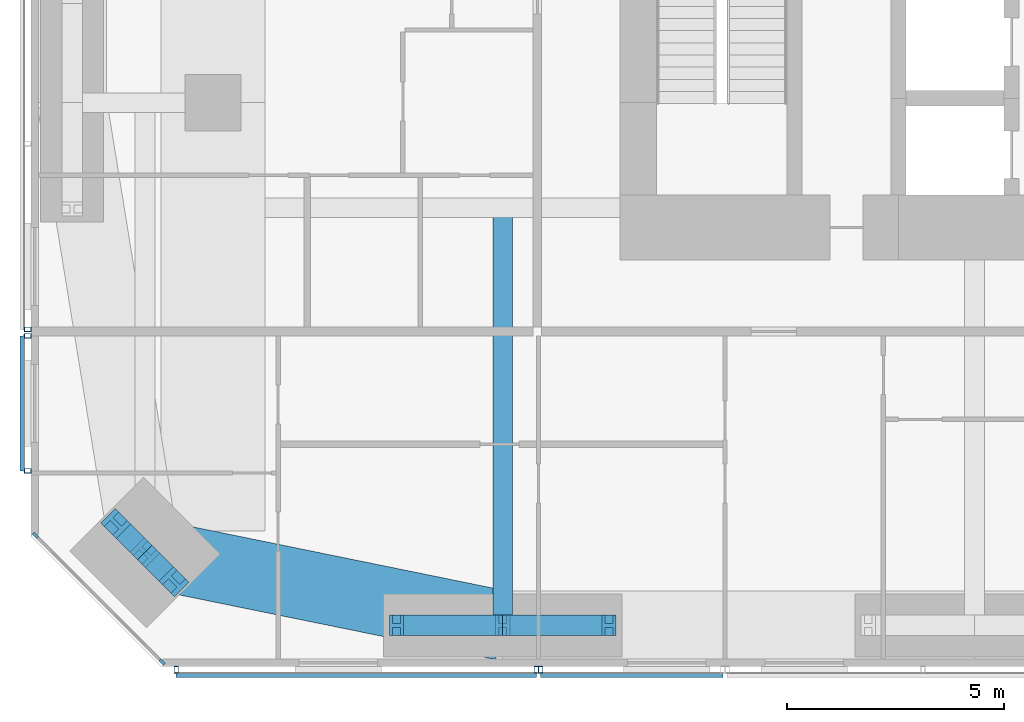
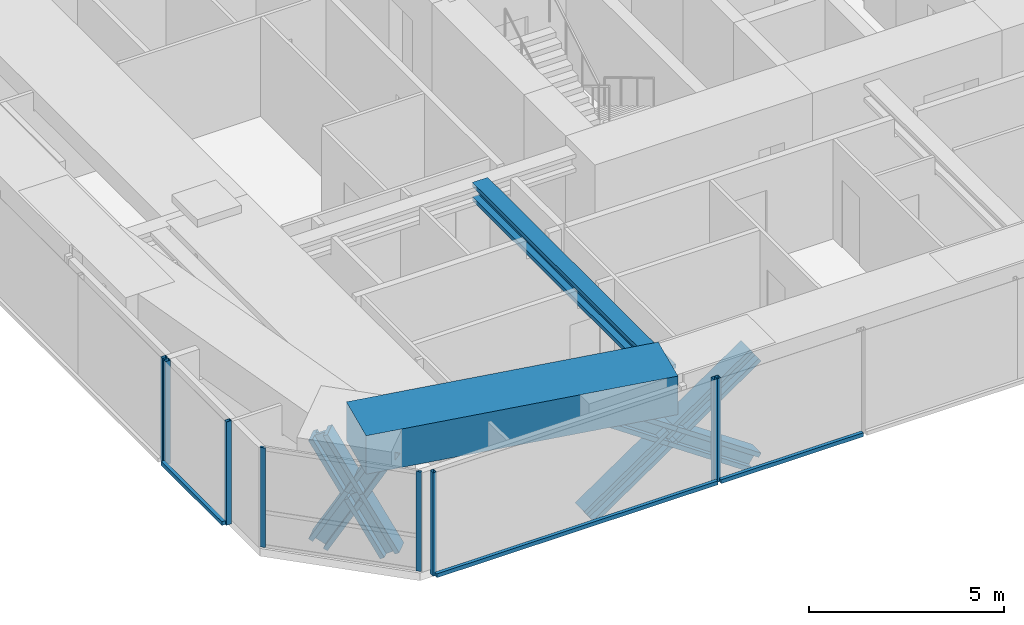
# One storey, part 2 of 24: 19 members, 2 beams, 5 elements without a shape of their own.
"""IFC4 building model written with IfcOpenShell, lengths in metres."""

from ifc_helpers import new_model, si_unit, direction, frame, origin, origin_2d, place, context, subcontext, project, spatial, rectangle, hollow_rectangle, i_section, extrude, material, material_profile, profile_set, type_object, element, aggregate, save


model = new_model("IFC4")

# Units and contexts
model_context = context("Model", 3, precision=1e-05, world=origin(), true_north=direction((0.0, 1.0)))
body_context = subcontext(model_context, "Body", "Model", "MODEL_VIEW")
ifc_project = project(units=[si_unit("LENGTHUNIT", "METRE"), si_unit("AREAUNIT", "SQUARE_METRE"), si_unit("VOLUMEUNIT", "CUBIC_METRE"), si_unit("PLANEANGLEUNIT", "RADIAN"), si_unit("MASSUNIT", "GRAM", prefix="KILO")], contexts=[model_context])

# Site, building, storey
site_placement = place(None, origin())
site = spatial("IfcSite", under=ifc_project, at=site_placement, CompositionType="ELEMENT")
building_placement = place(site_placement, origin())
building = spatial("IfcBuilding", under=site, at=building_placement, Name="Jalousie Tower", CompositionType="ELEMENT")
storey_placement = place(building_placement, frame((0.0, 0.0, 135.0)))
storey = spatial("IfcBuildingStorey", under=building, at=storey_placement, Name="L37", CompositionType="ELEMENT", Elevation=135.0)

# Curtain wall, members
ifc_material_1 = material(Name="Aluminium curtain wall", Category="aluminium")
curtain_wall_type_1 = type_object("IfcCurtainWallType", Name="CORNER WINDOW WALL", PredefinedType="USERDEFINED", material=ifc_material_1)
curtain_wall_1_placement = place(storey_placement, origin())
curtain_wall_1 = element("IfcCurtainWall", 1, at=curtain_wall_1_placement, inside=storey, type_object=curtain_wall_type_1, Name="Corner Window Wall L37 8", ObjectType="CORNER WINDOW WALL", PredefinedType="USERDEFINED")
ifc_material_2 = material(Name="Aluminium mullion", Category="aluminium")
ifc_material_profile_1 = material_profile(ifc_material_2, rectangle(XDim=0.06005859375, YDim=0.14990234375, at=origin_2d()), Name="MULLION 60x150")
ifc_profile_set_1 = profile_set([ifc_material_profile_1], Name="Aluminium mullion")
member_type_1 = type_object("IfcMemberType", Name="CORNER WINDOW WALL MULLION", PredefinedType="MULLION", material=ifc_profile_set_1)
member_1_placement = place(storey_placement, frame((6.108642578125, 3.030029296875, 0.0), z_axis=(0.0, 0.0, 1.0), x_axis=(0.707106781187, 0.707106781187, 0.0)))
member_1 = element("IfcMember", 2, at=member_1_placement, type_object=member_type_1, Name="CW-C mullion 1", PredefinedType="MULLION", context=body_context, shape_type="SweptSolid", body=[
    extrude(rectangle(XDim=0.06005859375, YDim=0.14990234375, at=origin_2d()), origin(), (0.0, 0.0, 1.0), 3.110107421875),
])
member_2_placement = place(storey_placement, frame((9.030029296875, 0.108642578125, 0.0), z_axis=(0.0, 0.0, 1.0), x_axis=(0.707106781187, 0.707106781187, 0.0)))
member_2 = element("IfcMember", 3, at=member_2_placement, type_object=member_type_1, Name="CW-C mullion 2", PredefinedType="MULLION", context=body_context, shape_type="SweptSolid", body=[
    extrude(rectangle(XDim=0.06005859375, YDim=0.14990234375, at=origin_2d()), origin(), (0.0, 0.0, 1.0), 3.110107421875),
])
aggregate(curtain_wall_1, [member_1, member_2])

# Beam
ifc_material_3 = material(Name="Steel ASTM A992 Grade 50", Category="steel")
ifc_material_profile_2 = material_profile(ifc_material_3, i_section(OverallWidth=0.45458984375, OverallDepth=0.569091796875, WebThickness=0.077880859375, FlangeThickness=0.124755859375, at=origin_2d()), Name="W14X730")
ifc_profile_set_2 = profile_set([ifc_material_profile_2], Name="Steel ASTM A992 Grade 50")
beam_type_1 = type_object("IfcBeamType", Name="LEAN COLLECTOR W14X730", PredefinedType="BEAM", material=ifc_profile_set_2)
beam_1_placement = place(storey_placement, frame((16.875, 0.949951171875, 2.825439453125), z_axis=(0.0, 1.0, 0.0), x_axis=(-1.0, 0.0, 0.0)))
element("IfcBeam", 4, at=beam_1_placement, inside=storey, type_object=beam_type_1, Name="Lean collector under L38", PredefinedType="BEAM", context=body_context, shape_type="SweptSolid", body=[
    extrude(i_section(OverallWidth=0.45458984375, OverallDepth=0.569091796875, WebThickness=0.077880859375, FlangeThickness=0.124755859375, at=origin_2d()), origin(), (0.0, 0.0, 1.0), 9.625),
])

# Members
ifc_material_4 = material(Name="Steel ASTM A992 Grade 50", Category="steel")
ifc_material_profile_3 = material_profile(ifc_material_4, i_section(OverallWidth=0.472412109375, OverallDepth=0.5791015625, WebThickness=0.094970703125, FlangeThickness=0.1298828125, at=origin_2d()), Name="W14X808")
ifc_profile_set_3 = profile_set([ifc_material_profile_3], Name="Steel ASTM A992 Grade 50")
member_type_2 = type_object("IfcMemberType", Name="PERIMETER BRACE W14X808", PredefinedType="BRACE", material=ifc_profile_set_3)
for number, where, z_axis, x_axis, name in (
    (5, (7.959716796875, 3.302978515625, -0.60009765625), (0.348789058631, -0.348789058631, 0.869880672943), (0.707106781187, 0.707106781187, 0.0), "Perimeter brace 01 L37 part 1"),
    (6, (8.63134765625, 2.63134765625, 1.074951171875), (0.348789058631, -0.348789058631, 0.869880672943), (0.707106781187, 0.707106781187, 0.0), "Perimeter brace 01 L37 part 2"),
    (7, (9.302978515625, 1.959716796875, -0.60009765625), (-0.348789058631, 0.348789058631, 0.869880672943), (-0.707106781187, -0.707106781187, 0.0), "Perimeter brace 01 L37 part 3"),
    (8, (8.63134765625, 2.63134765625, 1.074951171875), (-0.348789058631, 0.348789058631, 0.869880672943), (-0.707106781187, -0.707106781187, 0.0), "Perimeter brace 01 L37 part 4"),
):
    element("IfcMember", number, at=place(storey_placement, frame(where, z_axis=z_axis, x_axis=x_axis)), inside=storey, type_object=member_type_2, Name=name, PredefinedType="BRACE", context=body_context, shape_type="SweptSolid", body=[
        extrude(i_section(OverallWidth=0.472412109375, OverallDepth=0.5791015625, WebThickness=0.094970703125, FlangeThickness=0.1298828125, at=origin_2d()), origin(), (0.0, 0.0, 1.0), 1.925537109375),
    ])
for number, where, z_axis, x_axis, name in (
    (9, (14.425048828125, 0.949951171875, -0.60009765625), (0.825500916831, 0.0, 0.564400776321), (0.0, 1.0, 0.0), "Perimeter brace 02 L37 part 1"),
    (10, (16.875, 0.949951171875, 1.074951171875), (0.825500916831, 0.0, 0.564400776321), (0.0, 1.0, 0.0), "Perimeter brace 02 L37 part 2"),
    (11, (19.324951171875, 0.949951171875, -0.60009765625), (-0.825500916831, 0.0, 0.564400776321), (0.0, -1.0, 0.0), "Perimeter brace 02 L37 part 3"),
    (12, (16.875, 0.949951171875, 1.074951171875), (-0.825500916831, 0.0, 0.564400776321), (0.0, -1.0, 0.0), "Perimeter brace 02 L37 part 4"),
):
    element("IfcMember", number, at=place(storey_placement, frame(where, z_axis=z_axis, x_axis=x_axis)), inside=storey, type_object=member_type_2, Name=name, PredefinedType="BRACE", context=body_context, shape_type="SweptSolid", body=[
        extrude(i_section(OverallWidth=0.472412109375, OverallDepth=0.5791015625, WebThickness=0.094970703125, FlangeThickness=0.1298828125, at=origin_2d()), origin(), (0.0, 0.0, 1.0), 2.9677734375),
    ])

# Beam
ifc_material_5 = material(Name="Concrete f'c 40 MPa", Category="concrete")
ifc_material_profile_4 = material_profile(ifc_material_5, rectangle(XDim=1.60009765625, YDim=1.199951171875, at=origin_2d()), Name="RC 1600x1200")
ifc_profile_set_4 = profile_set([ifc_material_profile_4], Name="Concrete f'c 40 MPa")
beam_type_2 = type_object("IfcBeamType", Name="RC BEAM 1600x1200", PredefinedType="BEAM", material=ifc_profile_set_4)
beam_2_placement = place(storey_placement, frame((8.63134765625, 2.63134765625, 2.75), z_axis=(0.97982690954, -0.199848010602, 0.0), x_axis=(0.199848010602, 0.97982690954, 0.0)))
element("IfcBeam", 13, at=beam_2_placement, inside=storey, type_object=beam_type_2, Name="Edge band beam 01-02 under L38", PredefinedType="BEAM", context=body_context, shape_type="SweptSolid", body=[
    extrude(rectangle(XDim=1.60009765625, YDim=1.199951171875, at=origin_2d()), origin(), (0.0, 0.0, 1.0), 8.413330078125),
])

# Curtain wall, members
ifc_material_6 = material(Name="Perforated aluminium sheet", Category="aluminium")
curtain_wall_type_2 = type_object("IfcCurtainWallType", Name="SOLAR SCREEN SS-1", PredefinedType="USERDEFINED", material=ifc_material_6)
curtain_wall_2_placement = place(storey_placement, origin())
curtain_wall_2 = element("IfcCurtainWall", 14, at=curtain_wall_2_placement, inside=storey, type_object=curtain_wall_type_2, Name="Solar screen L37", ObjectType="SOLAR SCREEN SS-1", PredefinedType="USERDEFINED")
ifc_material_7 = material(Name="Steel ASTM A500 Grade C", Category="steel")
ifc_material_profile_5 = material_profile(ifc_material_7, hollow_rectangle(XDim=0.1015625, YDim=0.15234375, WallThickness=0.00634765625, at=origin_2d()), Name="HSS6X4X1/4")
ifc_profile_set_5 = profile_set([ifc_material_profile_5], Name="Steel ASTM A500 Grade C")
member_type_3 = type_object("IfcMemberType", Name="SOLAR SCREEN SS-1 MULLION", PredefinedType="MULLION", material=ifc_profile_set_5)
member_3_placement = place(storey_placement, frame((9.351318359375, -0.0712890625, -0.1201171875), z_axis=(0.0, 0.0, 1.0), x_axis=(1.0, 0.0, 0.0)))
member_3 = element("IfcMember", 15, at=member_3_placement, type_object=member_type_3, Name="SS1 post 1", PredefinedType="MULLION", context=body_context, shape_type="SweptSolid", body=[
    extrude(hollow_rectangle(XDim=0.1015625, YDim=0.15234375, WallThickness=0.00634765625, at=origin_2d()), origin(), (0.0, 0.0, 1.0), 3.230224609375),
])
member_4_placement = place(storey_placement, frame((17.64990234375, -0.0712890625, -0.1201171875), z_axis=(0.0, 0.0, 1.0), x_axis=(1.0, 0.0, 0.0)))
member_4 = element("IfcMember", 16, at=member_4_placement, type_object=member_type_3, Name="SS1 post 2", PredefinedType="MULLION", context=body_context, shape_type="SweptSolid", body=[
    extrude(hollow_rectangle(XDim=0.1015625, YDim=0.15234375, WallThickness=0.00634765625, at=origin_2d()), origin(), (0.0, 0.0, 1.0), 3.230224609375),
])

# Curtain wall, member
curtain_wall_3_placement = place(storey_placement, origin())
curtain_wall_3 = element("IfcCurtainWall", 17, at=curtain_wall_3_placement, inside=storey, type_object=curtain_wall_type_2, Name="Solar screen L37", ObjectType="SOLAR SCREEN SS-1", PredefinedType="USERDEFINED")
member_5_placement = place(storey_placement, frame((17.75, -0.0712890625, -0.1201171875), z_axis=(0.0, 0.0, 1.0), x_axis=(1.0, 0.0, 0.0)))
member_5 = element("IfcMember", 18, at=member_5_placement, type_object=member_type_3, Name="SS1 post 1", PredefinedType="MULLION", context=body_context, shape_type="SweptSolid", body=[
    extrude(hollow_rectangle(XDim=0.1015625, YDim=0.15234375, WallThickness=0.00634765625, at=origin_2d()), origin(), (0.0, 0.0, 1.0), 3.230224609375),
])

curtain_wall_4_placement = place(storey_placement, origin())
curtain_wall_4 = element("IfcCurtainWall", 19, at=curtain_wall_4_placement, inside=storey, type_object=curtain_wall_type_2, Name="Solar screen L37", ObjectType="SOLAR SCREEN SS-1", PredefinedType="USERDEFINED")
member_6_placement = place(storey_placement, frame((5.9287109375, 7.77490234375, -0.1201171875), z_axis=(0.0, 0.0, 1.0), x_axis=(0.0, -1.0, 0.0)))
member_6 = element("IfcMember", 20, at=member_6_placement, type_object=member_type_3, Name="SS1 post 3", PredefinedType="MULLION", context=body_context, shape_type="SweptSolid", body=[
    extrude(hollow_rectangle(XDim=0.1015625, YDim=0.15234375, WallThickness=0.00634765625, at=origin_2d()), origin(), (0.0, 0.0, 1.0), 3.230224609375),
])
aggregate(curtain_wall_4, [member_6])

# Curtain wall, members
curtain_wall_5_placement = place(storey_placement, origin())
curtain_wall_5 = element("IfcCurtainWall", 21, at=curtain_wall_5_placement, inside=storey, type_object=curtain_wall_type_2, Name="Solar screen L37", ObjectType="SOLAR SCREEN SS-1", PredefinedType="USERDEFINED")
member_7_placement = place(storey_placement, frame((5.9287109375, 7.625, -0.1201171875), z_axis=(0.0, 0.0, 1.0), x_axis=(0.0, -1.0, 0.0)))
member_7 = element("IfcMember", 22, at=member_7_placement, type_object=member_type_3, Name="SS1 post 1", PredefinedType="MULLION", context=body_context, shape_type="SweptSolid", body=[
    extrude(hollow_rectangle(XDim=0.1015625, YDim=0.15234375, WallThickness=0.00634765625, at=origin_2d()), origin(), (0.0, 0.0, 1.0), 3.230224609375),
])
member_8_placement = place(storey_placement, frame((5.9287109375, 4.513916015625, -0.1201171875), z_axis=(0.0, 0.0, 1.0), x_axis=(0.0, -1.0, 0.0)))
member_8 = element("IfcMember", 23, at=member_8_placement, type_object=member_type_3, Name="SS1 post 2", PredefinedType="MULLION", context=body_context, shape_type="SweptSolid", body=[
    extrude(hollow_rectangle(XDim=0.1015625, YDim=0.15234375, WallThickness=0.00634765625, at=origin_2d()), origin(), (0.0, 0.0, 1.0), 3.230224609375),
])

# Member
ifc_material_8 = material(Name="Extruded aluminium screen rail", Category="aluminium")
ifc_material_profile_6 = material_profile(ifc_material_8, rectangle(XDim=0.1015625, YDim=0.1201171875, at=origin_2d()), Name="RAIL 102x120")
ifc_profile_set_6 = profile_set([ifc_material_profile_6], Name="Extruded aluminium screen rail")
member_type_4 = type_object("IfcMemberType", Name="SOLAR SCREEN SS-1 TRANSOM", PredefinedType="USERDEFINED", material=ifc_profile_set_6)
member_9_placement = place(storey_placement, frame((9.351318359375, -0.1982421875, -0.06005859375), z_axis=(1.0, 0.0, 0.0), x_axis=(0.0, 1.0, 0.0)))
member_9 = element("IfcMember", 24, at=member_9_placement, type_object=member_type_4, Name="SS1 rail", ObjectType="TRANSOM", PredefinedType="USERDEFINED", context=body_context, shape_type="SweptSolid", body=[
    extrude(rectangle(XDim=0.1015625, YDim=0.1201171875, at=origin_2d()), origin(), (0.0, 0.0, 1.0), 8.298583984375),
])

aggregate(curtain_wall_2, [member_3, member_4, member_9])

member_10_placement = place(storey_placement, frame((17.75, -0.1982421875, -0.06005859375), z_axis=(1.0, 0.0, 0.0), x_axis=(0.0, 1.0, 0.0)))
member_10 = element("IfcMember", 25, at=member_10_placement, type_object=member_type_4, Name="SS1 rail", ObjectType="TRANSOM", PredefinedType="USERDEFINED", context=body_context, shape_type="SweptSolid", body=[
    extrude(rectangle(XDim=0.1015625, YDim=0.1201171875, at=origin_2d()), origin(), (0.0, 0.0, 1.0), 4.199951171875),
])

aggregate(curtain_wall_3, [member_5, member_10])

member_11_placement = place(storey_placement, frame((5.8017578125, 7.625, -0.06005859375), z_axis=(0.0, -1.0, 0.0), x_axis=(1.0, 0.0, 0.0)))
member_11 = element("IfcMember", 26, at=member_11_placement, type_object=member_type_4, Name="SS1 rail", ObjectType="TRANSOM", PredefinedType="USERDEFINED", context=body_context, shape_type="SweptSolid", body=[
    extrude(rectangle(XDim=0.1015625, YDim=0.1201171875, at=origin_2d()), origin(), (0.0, 0.0, 1.0), 3.111083984375),
])

aggregate(curtain_wall_5, [member_7, member_8, member_11])

save(model, "model.ifc")
